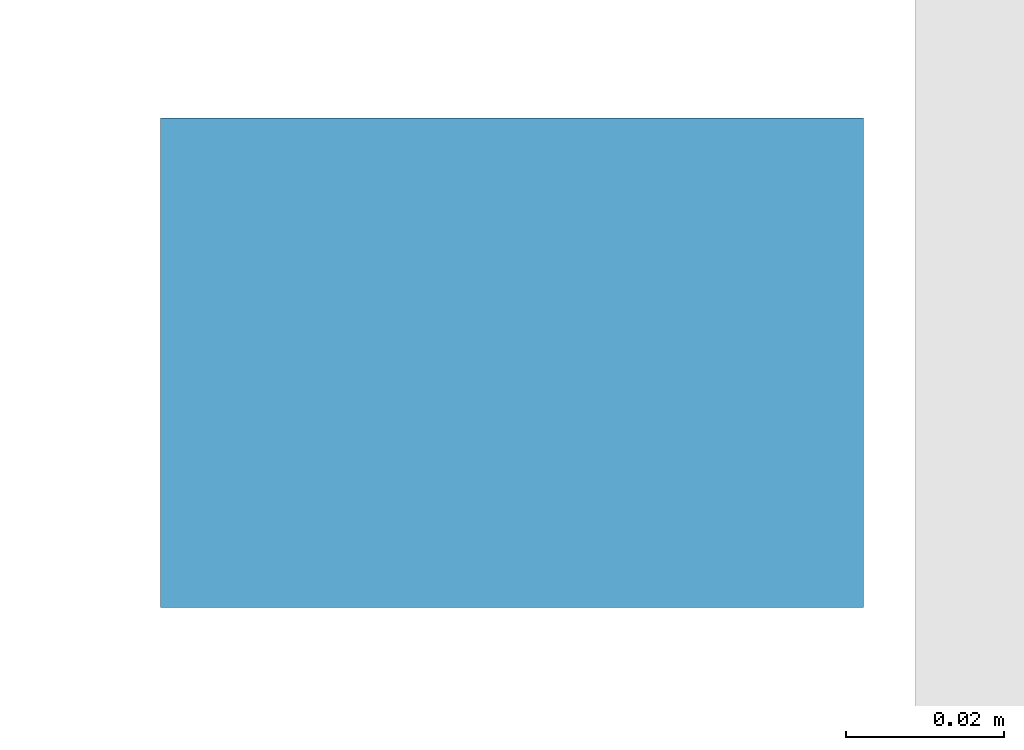
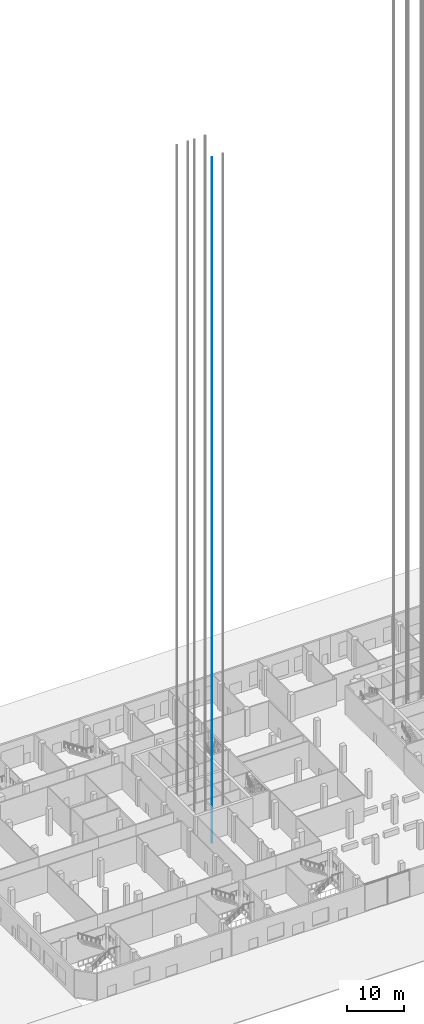
# One storey, part 4 of 55: 1 member.
"""IFC4 building model written with IfcOpenShell, lengths in metres."""

from ifc_helpers import new_model, si_unit, direction, frame, origin, origin_2d, place, context, subcontext, project, spatial, rectangle, extrude, material, material_profile, profile_set, type_object, element, save


model = new_model("IFC4")

# Units and contexts
model_context = context("Model", 3, precision=1e-05, world=origin(), true_north=direction((0.0, 1.0)))
body_context = subcontext(model_context, "Body", "Model", "MODEL_VIEW")
ifc_project = project(units=[si_unit("LENGTHUNIT", "METRE"), si_unit("AREAUNIT", "SQUARE_METRE"), si_unit("VOLUMEUNIT", "CUBIC_METRE"), si_unit("PLANEANGLEUNIT", "RADIAN"), si_unit("MASSUNIT", "GRAM", prefix="KILO")], contexts=[model_context])

# Site, building, storey
site_placement = place(None, origin())
site = spatial("IfcSite", under=ifc_project, at=site_placement, CompositionType="ELEMENT")
building_placement = place(site_placement, origin())
building = spatial("IfcBuilding", under=site, at=building_placement, Name="Cinnabar Reach Civic Tower", CompositionType="ELEMENT")
storey_placement = place(building_placement, origin())
storey = spatial("IfcBuildingStorey", under=building, at=storey_placement, Name="L00", CompositionType="ELEMENT", Elevation=0.0)

# Member
ifc_material = material(Name="Steel Q355B", Category="steel")
ifc_material_profile = material_profile(ifc_material, rectangle(XDim=0.089, YDim=0.062, at=origin_2d()), Name="T89")
ifc_profile_set = profile_set([ifc_material_profile], Name="Steel Q355B")
member_type = type_object("IfcMemberType", Name="Lift guide rail T89", PredefinedType="MEMBER", material=ifc_profile_set)
member_placement = place(storey_placement, frame((-37.851, 22.7, -2.5), z_axis=(0.0, 0.0, 1.0), x_axis=(1.0, 0.0, 0.0)))
element("IfcMember", 1, at=member_placement, inside=storey, type_object=member_type, Name="Lift guide rail 1", PredefinedType="MEMBER", context=body_context, shape_type="SweptSolid", body=[
    extrude(rectangle(XDim=0.089, YDim=0.062, at=origin_2d()), origin(), (0.0, 0.0, 1.0), 146.05),
])

save(model, "model.ifc")
